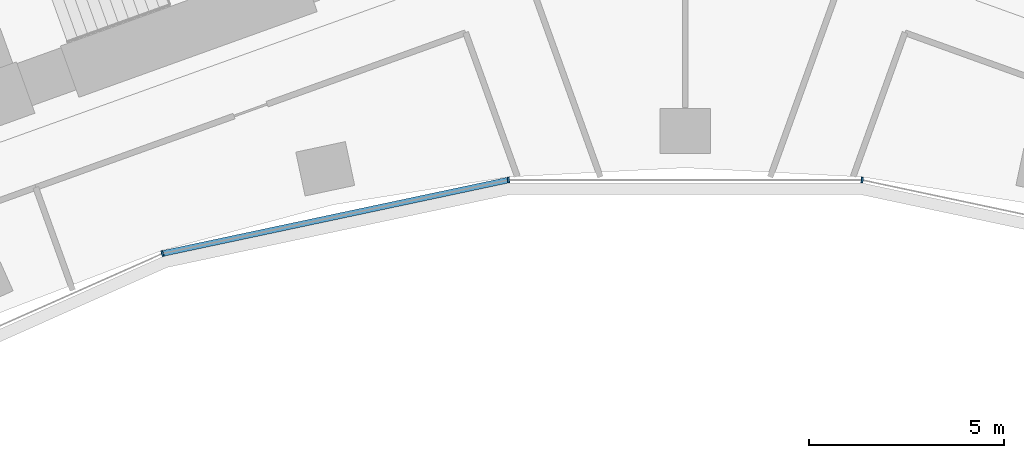
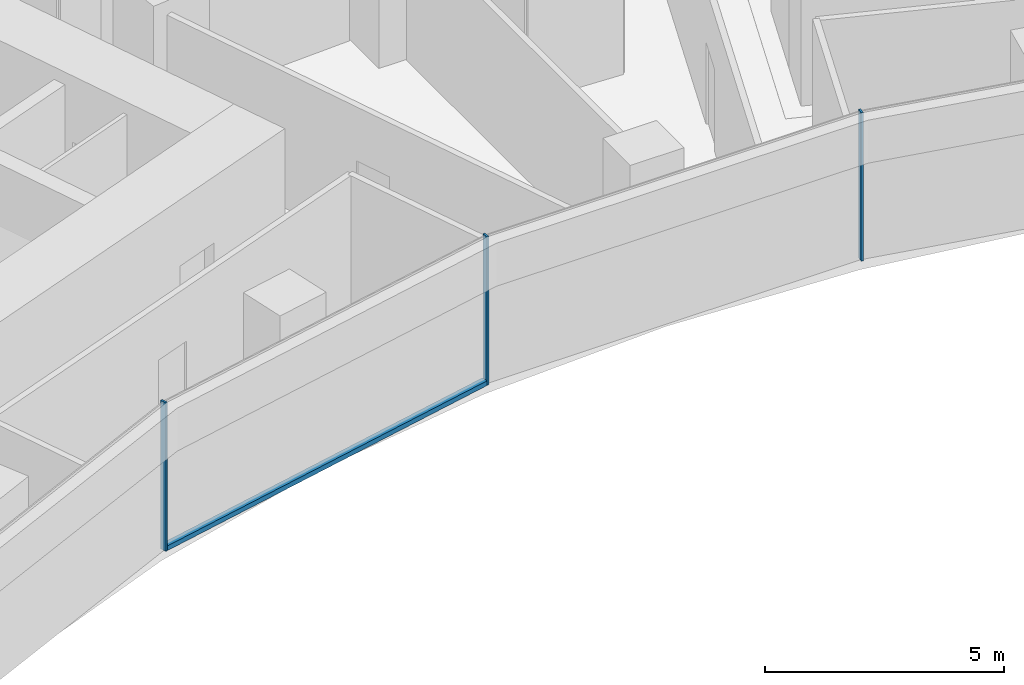
# One storey, part 5 of 21: 4 members, 1 element without a shape of its own.
"""IFC4 building model written with IfcOpenShell, lengths in metres."""

from ifc_helpers import new_model, si_unit, direction, frame, origin, origin_2d, place, context, subcontext, project, spatial, rectangle, extrude, material, layer, layer_set, material_profile, profile_set, type_object, element, aggregate, save


model = new_model("IFC4")

# Units and contexts
model_context = context("Model", 3, precision=1e-05, world=origin(), true_north=direction((0.0, 1.0)))
body_context = subcontext(model_context, "Body", "Model", "MODEL_VIEW")
ifc_project = project(units=[si_unit("LENGTHUNIT", "METRE"), si_unit("AREAUNIT", "SQUARE_METRE"), si_unit("VOLUMEUNIT", "CUBIC_METRE"), si_unit("PLANEANGLEUNIT", "RADIAN"), si_unit("MASSUNIT", "GRAM", prefix="KILO")], contexts=[model_context])

# Site, building, storey
site_placement = place(None, origin())
site = spatial("IfcSite", under=ifc_project, at=site_placement, CompositionType="ELEMENT")
building_placement = place(site_placement, origin())
building = spatial("IfcBuilding", under=site, at=building_placement, Name="Stone Belt Terrace Tower", CompositionType="ELEMENT")
storey_placement = place(building_placement, frame((0.0, 0.0, 90.800048828125)))
storey = spatial("IfcBuildingStorey", under=building, at=storey_placement, Name="L21", CompositionType="ELEMENT", Elevation=90.800048828125)

# Curtain wall, members
ifc_material = material(Name="Aluminium 6063-T6 anodised frame", Category="aluminium")
ifc_layer = layer(ifc_material, 0.14990234375)
ifc_layer_set = layer_set([ifc_layer], Name="CW-B unitised concave-face curtain wall")
curtain_wall_type = type_object("IfcCurtainWallType", Name="CW-B unitised concave-face curtain wall", PredefinedType="NOTDEFINED", material=ifc_layer_set)
curtain_wall_placement = place(storey_placement, origin())
curtain_wall = element("IfcCurtainWall", 1, at=curtain_wall_placement, inside=storey, type_object=curtain_wall_type, Name="CW-B concave face L21", PredefinedType="NOTDEFINED")
ifc_material_profile_1 = material_profile(ifc_material, rectangle(XDim=0.14990234375, YDim=0.050048828125, at=origin_2d()), Name="Aluminium 6063-T6 50x150")
ifc_profile_set_1 = profile_set([ifc_material_profile_1], Name="Aluminium 6063-T6 anodised frame")
member_type_1 = type_object("IfcMemberType", Name="CW-B mullion 50 x 150", PredefinedType="MULLION", material=ifc_profile_set_1)
member_1_placement = place(storey_placement, frame((-13.4189453125, 41.29931640625, 0.0), z_axis=(0.0, 0.0, 1.0), x_axis=(-0.309016994375, 0.951056516295, 0.0)))
member_1 = element("IfcMember", 2, at=member_1_placement, type_object=member_type_1, Name="CW-B mullion 4", PredefinedType="MULLION", context=body_context, shape_type="SweptSolid", body=[
    extrude(rectangle(XDim=0.14990234375, YDim=0.050048828125, at=origin_2d()), origin(), (0.0, 0.0, 1.0), 3.800048828125),
])
member_2_placement = place(storey_placement, frame((-4.5390625, 43.186767578125, 0.0), z_axis=(0.0, 0.0, 1.0), x_axis=(-0.104528463268, 0.994521895368, 0.0)))
member_2 = element("IfcMember", 3, at=member_2_placement, type_object=member_type_1, Name="CW-B mullion 5", PredefinedType="MULLION", context=body_context, shape_type="SweptSolid", body=[
    extrude(rectangle(XDim=0.14990234375, YDim=0.050048828125, at=origin_2d()), origin(), (0.0, 0.0, 1.0), 3.800048828125),
])
member_3_placement = place(storey_placement, frame((4.5390625, 43.186767578125, 0.0), z_axis=(0.0, 0.0, 1.0), x_axis=(0.104528463268, 0.994521895368, 0.0)))
member_3 = element("IfcMember", 4, at=member_3_placement, type_object=member_type_1, Name="CW-B mullion 6", PredefinedType="MULLION", context=body_context, shape_type="SweptSolid", body=[
    extrude(rectangle(XDim=0.14990234375, YDim=0.050048828125, at=origin_2d()), origin(), (0.0, 0.0, 1.0), 3.800048828125),
])
ifc_material_profile_2 = material_profile(ifc_material, rectangle(XDim=0.14990234375, YDim=0.1201171875, at=origin_2d()), Name="Aluminium 6063-T6 150x120")
ifc_profile_set_2 = profile_set([ifc_material_profile_2], Name="Aluminium 6063-T6 anodised frame")
member_type_2 = type_object("IfcMemberType", Name="CW-B transom 120 x 150", PredefinedType="USERDEFINED", material=ifc_profile_set_2)
member_4_placement = place(storey_placement, frame((-13.386962890625, 41.30615234375, 0.06005859375), z_axis=(0.9781499003, 0.207900871914, 0.0), x_axis=(-0.207900871914, 0.9781499003, 0.0)))
member_4 = element("IfcMember", 5, at=member_4_placement, type_object=member_type_2, Name="CW-B transom 4.1", ObjectType="TRANSOM", PredefinedType="USERDEFINED", context=body_context, shape_type="SweptSolid", body=[
    extrude(rectangle(XDim=0.14990234375, YDim=0.1201171875, at=origin_2d()), origin(), (0.0, 0.0, 1.0), 9.012939453125),
])
aggregate(curtain_wall, [member_1, member_2, member_3, member_4])

save(model, "model.ifc")
